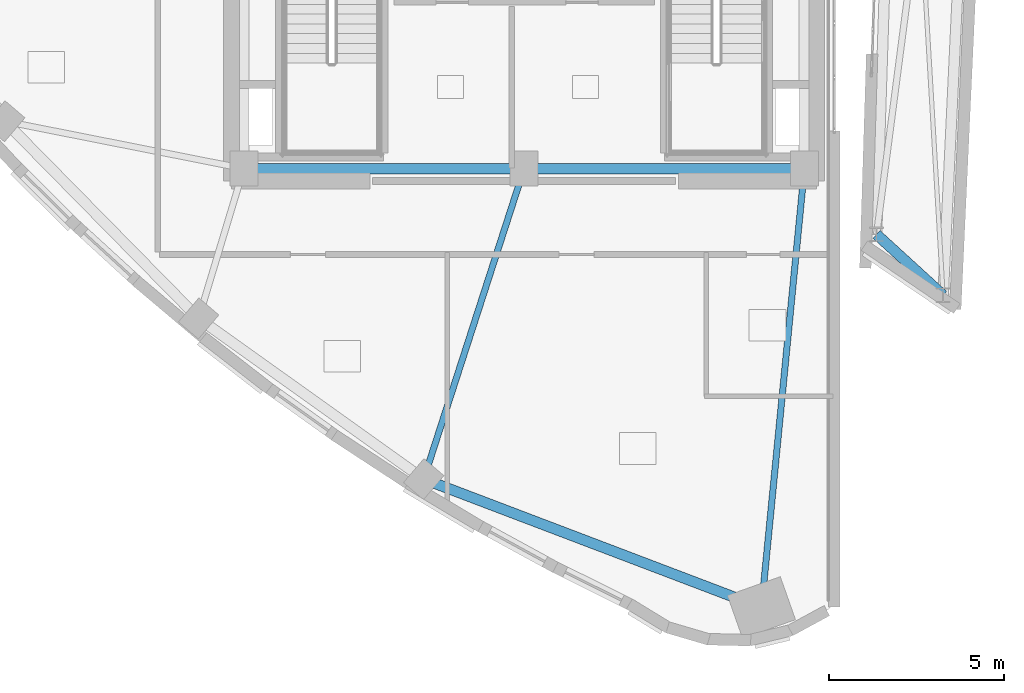
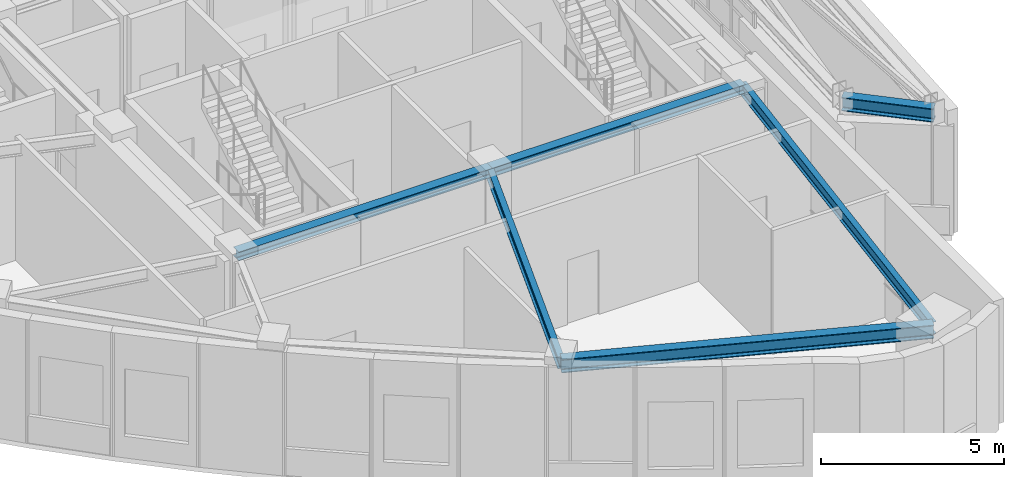
# One storey, part 3 of 19: 6 beams.
"""IFC4 building model written with IfcOpenShell, lengths in metres."""

from ifc_helpers import new_model, si_unit, direction, frame, origin, origin_2d, place, context, subcontext, project, spatial, i_section, extrude, material, material_profile, profile_set, type_object, element, save


model = new_model("IFC4")

# Units and contexts
model_context = context("Model", 3, precision=1e-05, world=origin(), true_north=direction((0.0, 1.0)))
body_context = subcontext(model_context, "Body", "Model", "MODEL_VIEW")
ifc_project = project(units=[si_unit("LENGTHUNIT", "METRE"), si_unit("AREAUNIT", "SQUARE_METRE"), si_unit("VOLUMEUNIT", "CUBIC_METRE"), si_unit("PLANEANGLEUNIT", "RADIAN"), si_unit("MASSUNIT", "GRAM", prefix="KILO")], contexts=[model_context])

# Site, building, storey
site_placement = place(None, origin())
site = spatial("IfcSite", under=ifc_project, at=site_placement, CompositionType="ELEMENT")
building_placement = place(site_placement, origin())
building = spatial("IfcBuilding", under=site, at=building_placement, Name="Ndelora Gate Hotel", CompositionType="ELEMENT")
storey_placement = place(building_placement, frame((0.0, 0.0, 286.0)))
storey = spatial("IfcBuildingStorey", under=building, at=storey_placement, Name="L71", CompositionType="ELEMENT", Elevation=286.0)

# Beams
ifc_material = material(Name="Steel S355", Category="steel")
ifc_material_profile_1 = material_profile(ifc_material, i_section(OverallWidth=0.300048828125, OverallDepth=0.300048828125, WebThickness=0.010986328125, FlangeThickness=0.01904296875, FilletRadius=0.027099609375, at=origin_2d()), Name="HEB 300")
ifc_profile_set_1 = profile_set([ifc_material_profile_1], Name="Steel S355")
beam_type_1 = type_object("IfcBeamType", Name="BM-CORE-300", PredefinedType="BEAM", material=ifc_profile_set_1)
for number, where, z_axis, x_axis, name in (
    (1, (-8.0, -6.60009765625, 3.97998046875), (1.0, 0.0, 0.0), (0.0, 1.0, 0.0), "L71 Core Tie Girder CC1-CC2"),
    (2, (0.0, -6.60009765625, 3.97998046875), (1.0, 0.0, 0.0), (0.0, 1.0, 0.0), "L71 Core Tie Girder CC2-CC3"),
):
    element("IfcBeam", number, at=place(storey_placement, frame(where, z_axis=z_axis, x_axis=x_axis)), inside=storey, type_object=beam_type_1, Name=name, PredefinedType="BEAM", context=body_context, shape_type="SweptSolid", body=[
        extrude(i_section(OverallWidth=0.300048828125, OverallDepth=0.300048828125, WebThickness=0.010986328125, FlangeThickness=0.01904296875, FilletRadius=0.027099609375, at=origin_2d()), origin(), (0.0, 0.0, 1.0), 8.0),
    ])
ifc_material_profile_2 = material_profile(ifc_material, i_section(OverallWidth=0.179931640625, OverallDepth=0.39990234375, WebThickness=0.008544921875, FlangeThickness=0.013427734375, FilletRadius=0.02099609375, at=origin_2d()), Name="IPE 400")
ifc_profile_set_2 = profile_set([ifc_material_profile_2], Name="Steel S355")
beam_type_2 = type_object("IfcBeamType", Name="BM-RAD-400", PredefinedType="BEAM", material=ifc_profile_set_2)
beam_1_placement = place(storey_placement, frame((0.0, -6.60009765625, 3.929931640625), z_axis=(-0.307689759964, -0.951486737487, 0.0), x_axis=(0.951486737487, -0.307689759964, 0.0)))
element("IfcBeam", 3, at=beam_1_placement, inside=storey, type_object=beam_type_2, Name="L71 structural beam FB-5", PredefinedType="BEAM", context=body_context, shape_type="SweptSolid", body=[
    extrude(i_section(OverallWidth=0.179931640625, OverallDepth=0.39990234375, WebThickness=0.008544921875, FlangeThickness=0.013427734375, FilletRadius=0.02099609375, at=origin_2d()), origin(), (0.0, 0.0, 1.0), 9.31298828125),
])
beam_2_placement = place(storey_placement, frame((8.0, -6.60009765625, 3.929931640625), z_axis=(-0.097513783863, -0.995234174432, 0.0), x_axis=(0.995234174432, -0.097513783863, 0.0)))
element("IfcBeam", 4, at=beam_2_placement, inside=storey, type_object=beam_type_2, Name="L71 structural beam FB-5", PredefinedType="BEAM", context=body_context, shape_type="SweptSolid", body=[
    extrude(i_section(OverallWidth=0.179931640625, OverallDepth=0.39990234375, WebThickness=0.008544921875, FlangeThickness=0.013427734375, FilletRadius=0.02099609375, at=origin_2d()), origin(), (0.0, 0.0, 1.0), 12.5859375),
])
ifc_material_profile_3 = material_profile(ifc_material, i_section(OverallWidth=0.300048828125, OverallDepth=0.449951171875, WebThickness=0.013916015625, FlangeThickness=0.02587890625, FilletRadius=0.027099609375, at=origin_2d()), Name="HEB 450")
ifc_profile_set_3 = profile_set([ifc_material_profile_3], Name="Steel S355")
beam_type_3 = type_object("IfcBeamType", Name="BM-RING-450", PredefinedType="SPANDREL", material=ifc_profile_set_3)
beam_3_placement = place(storey_placement, frame((-2.865478515625, -15.461181640625, 3.905029296875), z_axis=(0.934709973152, -0.355411403997, 0.0), x_axis=(0.355411403997, 0.934709973152, 0.0)))
element("IfcBeam", 5, at=beam_3_placement, inside=storey, type_object=beam_type_3, Name="L71 structural beam RB-5", PredefinedType="SPANDREL", context=body_context, shape_type="SweptSolid", body=[
    extrude(i_section(OverallWidth=0.300048828125, OverallDepth=0.449951171875, WebThickness=0.013916015625, FlangeThickness=0.02587890625, FilletRadius=0.027099609375, at=origin_2d()), origin(), (0.0, 0.0, 1.0), 10.3115234375),
])
beam_4_placement = place(storey_placement, frame((10.0576171875, -8.478271484375, 3.89501953125), z_axis=(0.738512212633, -0.674240099514, 0.0), x_axis=(0.674240099514, 0.738512212633, 0.0)))
element("IfcBeam", 6, at=beam_4_placement, inside=storey, type_object=beam_type_3, Name="L71 structural beam RB-5", PredefinedType="SPANDREL", context=body_context, shape_type="SweptSolid", body=[
    extrude(i_section(OverallWidth=0.300048828125, OverallDepth=0.449951171875, WebThickness=0.013916015625, FlangeThickness=0.02587890625, FilletRadius=0.027099609375, at=origin_2d()), origin(), (0.0, 0.0, 1.0), 2.571533203125),
])

save(model, "model.ifc")
